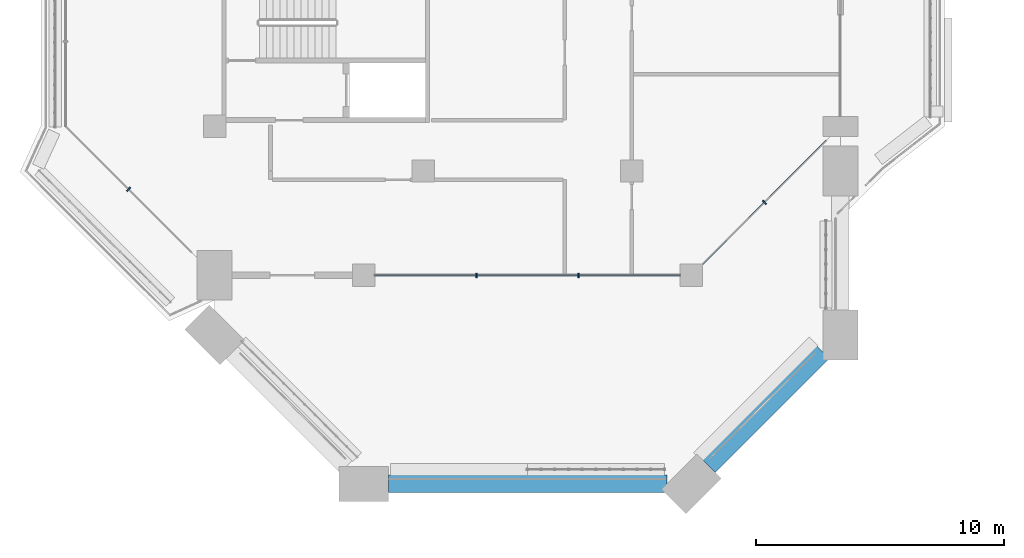
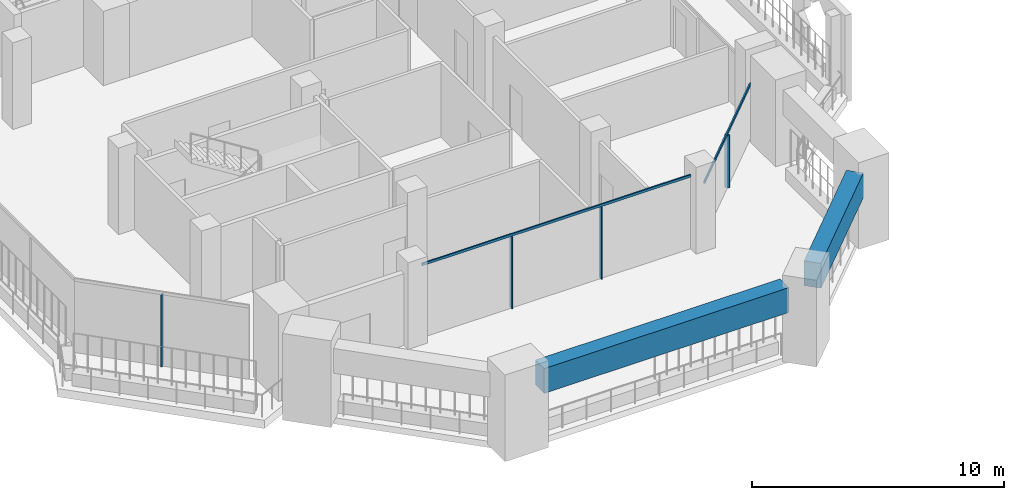
# One storey, part 2 of 24: 6 members, 2 beams, 3 elements without a shape of their own.
"""IFC4 building model written with IfcOpenShell, lengths in metres."""

from ifc_helpers import new_model, si_unit, direction, frame, origin, origin_2d, place, context, subcontext, project, spatial, rectangle, extrude, material, layer, layer_set, material_profile, profile_set, type_object, element, aggregate, save


model = new_model("IFC4")

# Units and contexts
model_context = context("Model", 3, precision=1e-05, world=origin(), true_north=direction((0.0, 1.0)))
body_context = subcontext(model_context, "Body", "Model", "MODEL_VIEW")
ifc_project = project(units=[si_unit("LENGTHUNIT", "METRE"), si_unit("AREAUNIT", "SQUARE_METRE"), si_unit("VOLUMEUNIT", "CUBIC_METRE"), si_unit("PLANEANGLEUNIT", "RADIAN"), si_unit("MASSUNIT", "GRAM", prefix="KILO")], contexts=[model_context])

# Site, building, storey
site_placement = place(None, origin())
site = spatial("IfcSite", under=ifc_project, at=site_placement, CompositionType="ELEMENT")
building_placement = place(site_placement, origin())
building = spatial("IfcBuilding", under=site, at=building_placement, Name="Kawkab Arch Medical Tower", CompositionType="ELEMENT")
storey_placement = place(building_placement, frame((0.0, 0.0, 218.0)))
storey = spatial("IfcBuildingStorey", under=building, at=storey_placement, Name="L50", CompositionType="ELEMENT", Elevation=218.0)

# Curtain wall, members
ifc_material_1 = material(Name="Bronze anodised aluminium curtain wall frame", Category="aluminium")
ifc_layer_1 = layer(ifc_material_1, 0.159912109375)
ifc_layer_set_1 = layer_set([ifc_layer_1], Name="Bronze anodised aluminium curtain wall frame")
curtain_wall_type_1 = type_object("IfcCurtainWallType", Name="CW1 ward curtain wall", PredefinedType="NOTDEFINED", material=ifc_layer_set_1)
placement = place(storey_placement, origin())
curtain_wall_1 = element("IfcCurtainWall", 1, at=placement, inside=storey, type_object=curtain_wall_type_1, Name="CW1 Ward curtain wall R13", PredefinedType="NOTDEFINED")
ifc_material_2 = material(Name="Bronze anodised aluminium curtain wall frame", Category="aluminium")
ifc_material_profile_1 = material_profile(ifc_material_2, rectangle(XDim=0.179931640625, YDim=0.06005859375, at=origin_2d()), Name="AL 60x180")
ifc_profile_set_1 = profile_set([ifc_material_profile_1], Name="Bronze anodised aluminium curtain wall frame")
member_type_1 = type_object("IfcMemberType", Name="CW1 mullion 60 x 180", PredefinedType="MULLION", material=ifc_profile_set_1)
member_1_placement = place(storey_placement, frame((10.550048828125, -46.199951171875, 0.0), z_axis=(0.0, 0.0, 1.0), x_axis=(0.0, 1.0, 0.0)))
member_1 = element("IfcMember", 2, at=member_1_placement, type_object=member_type_1, Name="CW1 mullion 2.1", PredefinedType="MULLION", context=body_context, shape_type="SweptSolid", body=[
    extrude(rectangle(XDim=0.179931640625, YDim=0.06005859375, at=origin_2d()), origin(), (0.0, 0.0, 1.0), 3.47998046875),
])
member_2_placement = place(storey_placement, frame((14.64990234375, -46.199951171875, 0.0), z_axis=(0.0, 0.0, 1.0), x_axis=(0.0, 1.0, 0.0)))
member_2 = element("IfcMember", 3, at=member_2_placement, type_object=member_type_1, Name="CW1 mullion 2.2", PredefinedType="MULLION", context=body_context, shape_type="SweptSolid", body=[
    extrude(rectangle(XDim=0.179931640625, YDim=0.06005859375, at=origin_2d()), origin(), (0.0, 0.0, 1.0), 3.47998046875),
])
ifc_material_3 = material(Name="Bronze anodised aluminium curtain wall frame", Category="aluminium")
ifc_material_profile_2 = material_profile(ifc_material_3, rectangle(XDim=0.06005859375, YDim=0.1201171875, at=origin_2d()), Name="AL 60x120")
ifc_profile_set_2 = profile_set([ifc_material_profile_2], Name="Bronze anodised aluminium curtain wall frame")
member_type_2 = type_object("IfcMemberType", Name="CW1 transom 120 x 60", PredefinedType="USERDEFINED", material=ifc_profile_set_2)
member_3_placement = place(storey_placement, frame((6.449951171875, -46.199951171875, 3.5400390625), z_axis=(1.0, 0.0, 0.0), x_axis=(0.0, 1.0, 0.0)))
member_3 = element("IfcMember", 4, at=member_3_placement, type_object=member_type_2, Name="CW1 transom 2", ObjectType="TRANSOM", PredefinedType="USERDEFINED", context=body_context, shape_type="SweptSolid", body=[
    extrude(rectangle(XDim=0.06005859375, YDim=0.1201171875, at=origin_2d()), origin(), (0.0, 0.0, 1.0), 12.300048828125),
])
aggregate(curtain_wall_1, [member_3, member_1, member_2])

# Curtain wall, member
ifc_material_4 = material(Name="Bronze anodised aluminium curtain wall frame", Category="aluminium")
ifc_layer_2 = layer(ifc_material_4, 0.159912109375)
ifc_layer_set_2 = layer_set([ifc_layer_2], Name="Bronze anodised aluminium curtain wall frame")
curtain_wall_type_2 = type_object("IfcCurtainWallType", Name="CW2 chamfer curtain wall", PredefinedType="NOTDEFINED", material=ifc_layer_set_2)
curtain_wall_2 = element("IfcCurtainWall", 5, at=placement, inside=storey, type_object=curtain_wall_type_2, Name="CW2 Chamfer curtain wall R12", PredefinedType="NOTDEFINED")
ifc_material_5 = material(Name="Bronze anodised aluminium curtain wall frame", Category="aluminium")
ifc_material_profile_3 = material_profile(ifc_material_5, rectangle(XDim=0.199951171875, YDim=0.06005859375, at=origin_2d()), Name="AL 60x200")
ifc_profile_set_3 = profile_set([ifc_material_profile_3], Name="Bronze anodised aluminium curtain wall frame")
member_type_3 = type_object("IfcMemberType", Name="CW2 mullion 60 x 200", PredefinedType="MULLION", material=ifc_profile_set_3)
member_4_placement = place(storey_placement, frame((-3.465087890625, -42.73486328125, 0.0), z_axis=(0.0, 0.0, 1.0), x_axis=(0.707106781187, 0.707106781187, 0.0)))
member_4 = element("IfcMember", 6, at=member_4_placement, type_object=member_type_3, Name="CW2 mullion 1.1", PredefinedType="MULLION", context=body_context, shape_type="SweptSolid", body=[
    extrude(rectangle(XDim=0.199951171875, YDim=0.06005859375, at=origin_2d()), origin(), (0.0, 0.0, 1.0), 3.4599609375),
])
aggregate(curtain_wall_2, [member_4])

# Curtain wall, members
curtain_wall_3 = element("IfcCurtainWall", 7, at=placement, inside=storey, type_object=curtain_wall_type_2, Name="CW2 Chamfer curtain wall R14", PredefinedType="NOTDEFINED")
member_5_placement = place(storey_placement, frame((22.140869140625, -43.259033203125, 0.0), z_axis=(0.0, 0.0, 1.0), x_axis=(-0.707106781187, 0.707106781187, 0.0)))
member_5 = element("IfcMember", 8, at=member_5_placement, type_object=member_type_3, Name="CW2 mullion 1.1", PredefinedType="MULLION", context=body_context, shape_type="SweptSolid", body=[
    extrude(rectangle(XDim=0.199951171875, YDim=0.06005859375, at=origin_2d()), origin(), (0.0, 0.0, 1.0), 2.56005859375),
])
ifc_material_6 = material(Name="Bronze anodised aluminium curtain wall frame", Category="aluminium")
ifc_material_profile_4 = material_profile(ifc_material_6, rectangle(XDim=0.06005859375, YDim=0.139892578125, at=origin_2d()), Name="AL 60x140")
ifc_profile_set_4 = profile_set([ifc_material_profile_4], Name="Bronze anodised aluminium curtain wall frame")
member_type_4 = type_object("IfcMemberType", Name="CW2 transom 140 x 60", PredefinedType="USERDEFINED", material=ifc_profile_set_4)
member_6_placement = place(storey_placement, frame((19.64990234375, -45.75, 2.6298828125), z_axis=(0.707124107351, 0.707089454597, 0.0), x_axis=(-0.707089454597, 0.707124107351, 0.0)))
member_6 = element("IfcMember", 9, at=member_6_placement, type_object=member_type_4, Name="CW2 transom 1", ObjectType="TRANSOM", PredefinedType="USERDEFINED", context=body_context, shape_type="SweptSolid", body=[
    extrude(rectangle(XDim=0.06005859375, YDim=0.139892578125, at=origin_2d()), origin(), (0.0, 0.0, 1.0), 7.04541015625),
])
aggregate(curtain_wall_3, [member_6, member_5])

# Beams
ifc_material_7 = material(Name="Concrete C45/55", Category="concrete")
ifc_material_profile_5 = material_profile(ifc_material_7, rectangle(XDim=0.699951171875, YDim=1.199951171875, at=origin_2d()), Name="RC 700x1200")
ifc_profile_set_5 = profile_set([ifc_material_profile_5], Name="Concrete C45/55")
beam_type = type_object("IfcBeamType", Name="RC 700x1200 beam C45/55", PredefinedType="BEAM", material=ifc_profile_set_5)
beam_1_placement = place(storey_placement, frame((24.5, -49.300048828125, 3.0), z_axis=(-0.707125574473, -0.707087987401, 0.0), x_axis=(0.707087987401, -0.707125574473, 0.0)))
element("IfcBeam", 10, at=beam_1_placement, inside=storey, type_object=beam_type, Name="Terrace frame beam TF-L50-1-L51-03", PredefinedType="BEAM", context=body_context, shape_type="SweptSolid", body=[
    extrude(rectangle(XDim=0.699951171875, YDim=1.199951171875, at=origin_2d()), origin(), (0.0, 0.0, 1.0), 6.495361328125),
])
beam_2_placement = place(storey_placement, frame((18.210205078125, -54.60009765625, 3.0), z_axis=(-1.0, 0.0, 0.0), x_axis=(0.0, -1.0, 0.0)))
element("IfcBeam", 11, at=beam_2_placement, inside=storey, type_object=beam_type, Name="Terrace frame beam TF-L50-1-L51-04", PredefinedType="BEAM", context=body_context, shape_type="SweptSolid", body=[
    extrude(rectangle(XDim=0.699951171875, YDim=1.199951171875, at=origin_2d()), origin(), (0.0, 0.0, 1.0), 11.210205078125),
])

save(model, "model.ifc")
